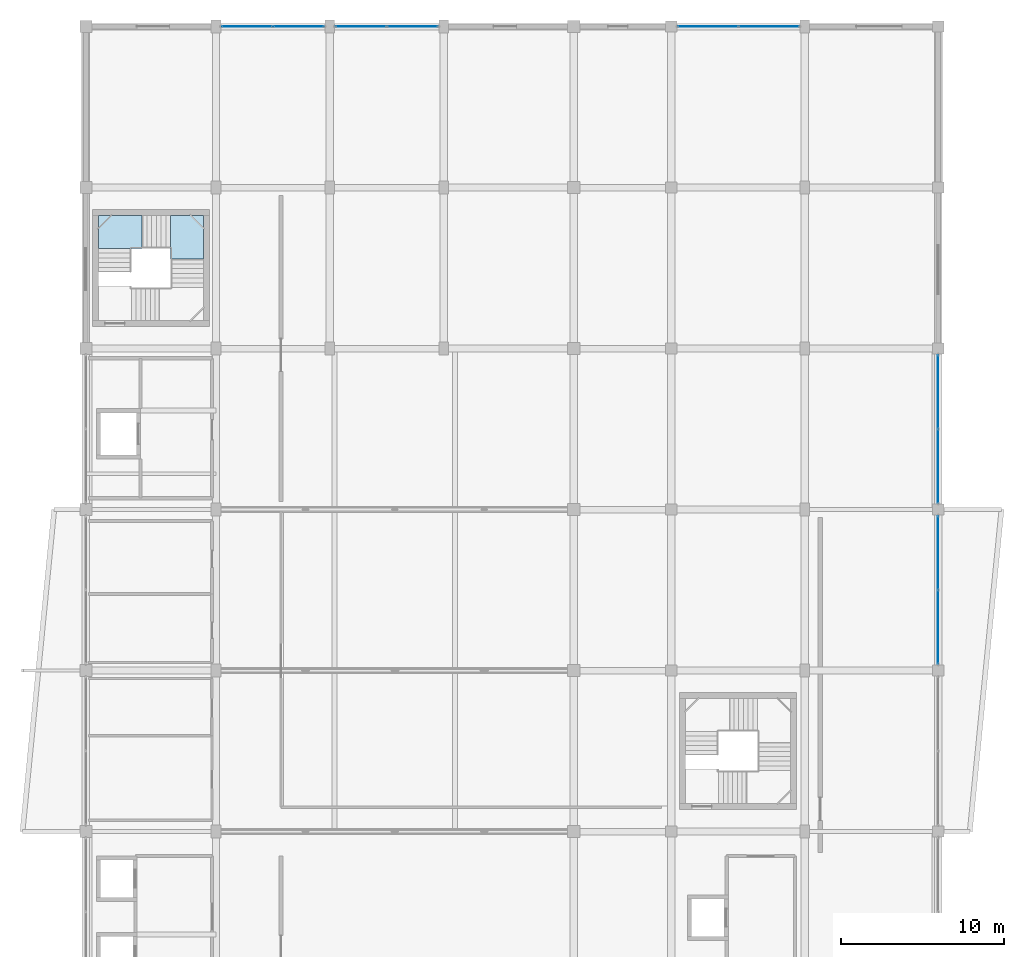
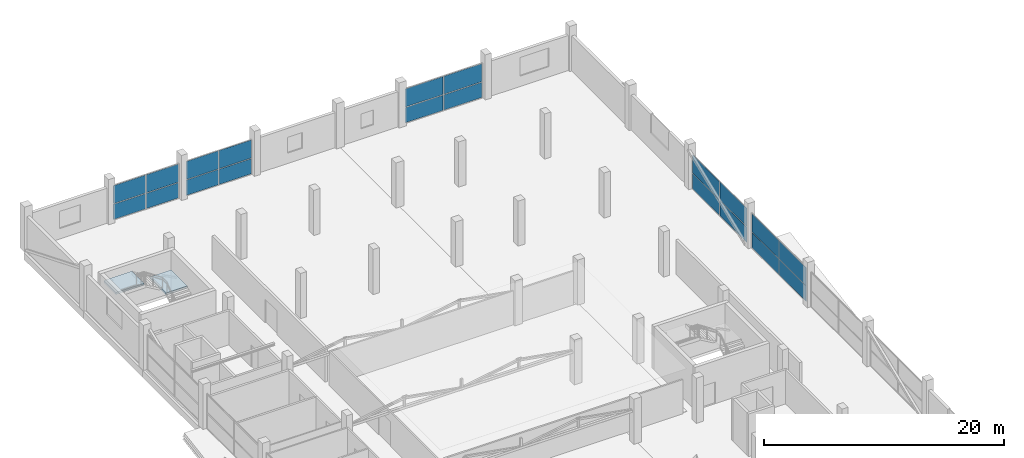
# One storey, part 39 of 58: 20 plates, 2 slabs, 6 elements without a shape of their own.
"""IFC4 building model written with IfcOpenShell, lengths in metres."""

from ifc_helpers import new_model, si_unit, direction, frame, origin, origin_2d, place, context, subcontext, project, spatial, polyline, rectangle, outline, extrude, material, layer, layer_set, type_object, element, aggregate, save


model = new_model("IFC4")

# Units and contexts
model_context = context("Model", 3, precision=1e-05, world=origin(), true_north=direction((0.0, 1.0)))
body_context = subcontext(model_context, "Body", "Model", "MODEL_VIEW")
ifc_project = project(units=[si_unit("LENGTHUNIT", "METRE"), si_unit("AREAUNIT", "SQUARE_METRE"), si_unit("VOLUMEUNIT", "CUBIC_METRE"), si_unit("PLANEANGLEUNIT", "RADIAN"), si_unit("MASSUNIT", "GRAM", prefix="KILO")], contexts=[model_context])

# Site, building, storey
site_placement = place(None, origin())
site = spatial("IfcSite", under=ifc_project, at=site_placement, CompositionType="ELEMENT")
building_placement = place(site_placement, origin())
building = spatial("IfcBuilding", under=site, at=building_placement, Name="Sillaruma Civic Art Gallery", CompositionType="ELEMENT")
storey_placement = place(building_placement, frame((0.0, 0.0, 28.56005859375)))
storey = spatial("IfcBuildingStorey", under=building, at=storey_placement, Name="L05", CompositionType="ELEMENT", Elevation=28.56005859375)

# Curtain wall, plate
ifc_material_1 = material(Name="Thermally Broken Extruded Aluminium 6063-T6", Category="aluminium")
ifc_layer_1 = layer(ifc_material_1, 0.159912109375, Name="Thermally Broken Extruded Aluminium 6063-T6")
ifc_layer_set_1 = layer_set([ifc_layer_1], Name="Thermally Broken Extruded Aluminium 6063-T6")
curtain_wall_type_1 = type_object("IfcCurtainWallType", Name="CW-UNI-35", PredefinedType="NOTDEFINED", material=ifc_layer_set_1)
curtain_wall_1_placement = place(storey_placement, origin())
curtain_wall_1 = element("IfcCurtainWall", 1, at=curtain_wall_1_placement, inside=storey, type_object=curtain_wall_type_1, Name="Unitised Curtain Wall CW-35 (CW-L05-E-6)", PredefinedType="NOTDEFINED")
ifc_material_2 = material(Name="Low-E UV-Filtered Laminated Insulating Glass", Category="glass")
ifc_layer_2 = layer(ifc_material_2, 0.030029296875, Name="Low-E UV-Filtered Laminated Insulating Glass")
ifc_layer_set_2 = layer_set([ifc_layer_2], Name="Low-E UV-Filtered Laminated Insulating Glass")
plate_type_1 = type_object("IfcPlateType", Name="PNL-GLZ-30", PredefinedType="CURTAIN_PANEL", material=ifc_layer_set_2)
plate_1_placement = place(storey_placement, frame((114.39990234375, 76.53369140625, 0.059814453125), z_axis=(0.0, 0.0, 1.0), x_axis=(0.0, 1.0, 0.0)))
plate_1 = element("IfcPlate", 2, at=plate_1_placement, type_object=plate_type_1, Name="CW-35 panel 2.1", PredefinedType="CURTAIN_PANEL", context=body_context, shape_type="SweptSolid", body=[
    extrude(rectangle(XDim=4.50244140625, YDim=0.030029296875, at=origin_2d()), origin(), (0.0, 0.0, 1.0), 1.55224609375),
])

# Curtain wall, plates
ifc_layer_3 = layer(ifc_material_1, 0.159912109375, Name="Thermally Broken Extruded Aluminium 6063-T6")
ifc_layer_set_3 = layer_set([ifc_layer_3], Name="Thermally Broken Extruded Aluminium 6063-T6")
curtain_wall_type_2 = type_object("IfcCurtainWallType", Name="CW-UNI-37", PredefinedType="NOTDEFINED", material=ifc_layer_set_3)
curtain_wall_2_placement = place(storey_placement, origin())
curtain_wall_2 = element("IfcCurtainWall", 3, at=curtain_wall_2_placement, inside=storey, type_object=curtain_wall_type_2, Name="Unitised Curtain Wall CW-37 (CW-L05-N-3)", PredefinedType="NOTDEFINED")
plate_2_placement = place(storey_placement, frame((78.916259765625, 99.0, 0.059814453125), z_axis=(0.0, 0.0, 1.0), x_axis=(1.0, 0.0, 0.0)))
plate_2 = element("IfcPlate", 4, at=plate_2_placement, type_object=plate_type_1, Name="CW-37 panel 1.1", PredefinedType="CURTAIN_PANEL", context=body_context, shape_type="SweptSolid", body=[
    extrude(rectangle(XDim=3.1025390625, YDim=0.030029296875, at=origin_2d()), origin(), (0.0, 0.0, 1.0), 1.55224609375),
])
plate_3_placement = place(storey_placement, frame((78.916259765625, 99.0, 1.672119140625), z_axis=(0.0, 0.0, 1.0), x_axis=(1.0, 0.0, 0.0)))
plate_3 = element("IfcPlate", 5, at=plate_3_placement, type_object=plate_type_1, Name="CW-37 panel 1.2", PredefinedType="CURTAIN_PANEL", context=body_context, shape_type="SweptSolid", body=[
    extrude(rectangle(XDim=3.1025390625, YDim=0.030029296875, at=origin_2d()), origin(), (0.0, 0.0, 1.0), 1.837890625),
])
plate_4_placement = place(storey_placement, frame((82.083740234375, 99.0, 0.059814453125), z_axis=(0.0, 0.0, 1.0), x_axis=(1.0, 0.0, 0.0)))
plate_4 = element("IfcPlate", 6, at=plate_4_placement, type_object=plate_type_1, Name="CW-37 panel 2.1", PredefinedType="CURTAIN_PANEL", context=body_context, shape_type="SweptSolid", body=[
    extrude(rectangle(XDim=3.1025390625, YDim=0.030029296875, at=origin_2d()), origin(), (0.0, 0.0, 1.0), 1.55224609375),
])
plate_5_placement = place(storey_placement, frame((82.083740234375, 99.0, 1.672119140625), z_axis=(0.0, 0.0, 1.0), x_axis=(1.0, 0.0, 0.0)))
plate_5 = element("IfcPlate", 7, at=plate_5_placement, type_object=plate_type_1, Name="CW-37 panel 2.2", PredefinedType="CURTAIN_PANEL", context=body_context, shape_type="SweptSolid", body=[
    extrude(rectangle(XDim=3.1025390625, YDim=0.030029296875, at=origin_2d()), origin(), (0.0, 0.0, 1.0), 1.837890625),
])
aggregate(curtain_wall_2, [plate_2, plate_3, plate_4, plate_5])

ifc_layer_4 = layer(ifc_material_1, 0.159912109375, Name="Thermally Broken Extruded Aluminium 6063-T6")
ifc_layer_set_4 = layer_set([ifc_layer_4], Name="Thermally Broken Extruded Aluminium 6063-T6")
curtain_wall_type_3 = type_object("IfcCurtainWallType", Name="CW-UNI-38", PredefinedType="NOTDEFINED", material=ifc_layer_set_4)
curtain_wall_3_placement = place(storey_placement, origin())
curtain_wall_3 = element("IfcCurtainWall", 8, at=curtain_wall_3_placement, inside=storey, type_object=curtain_wall_type_3, Name="Unitised Curtain Wall CW-38 (CW-L05-N-6)", PredefinedType="NOTDEFINED")
ifc_layer_5 = layer(ifc_material_2, 0.031982421875, Name="Low-E UV-Filtered Laminated Insulating Glass")
ifc_layer_set_5 = layer_set([ifc_layer_5], Name="Low-E UV-Filtered Laminated Insulating Glass")
plate_type_2 = type_object("IfcPlateType", Name="PNL-GLZ-32", PredefinedType="CURTAIN_PANEL", material=ifc_layer_set_5)
plate_6_placement = place(storey_placement, frame((100.253662109375, 99.0, 0.06494140625), z_axis=(0.0, 0.0, 1.0), x_axis=(1.0, 0.0, 0.0)))
plate_6 = element("IfcPlate", 9, at=plate_6_placement, type_object=plate_type_2, Name="CW-38 panel 1.1", PredefinedType="CURTAIN_PANEL", context=body_context, shape_type="SweptSolid", body=[
    extrude(rectangle(XDim=3.677490234375, YDim=0.031982421875, at=origin_2d()), origin(), (0.0, 0.0, 1.0), 1.544677734375),
])
plate_7_placement = place(storey_placement, frame((100.253662109375, 99.0, 1.6748046875), z_axis=(0.0, 0.0, 1.0), x_axis=(1.0, 0.0, 0.0)))
plate_7 = element("IfcPlate", 10, at=plate_7_placement, type_object=plate_type_2, Name="CW-38 panel 1.2", PredefinedType="CURTAIN_PANEL", context=body_context, shape_type="SweptSolid", body=[
    extrude(rectangle(XDim=3.677490234375, YDim=0.031982421875, at=origin_2d()), origin(), (0.0, 0.0, 1.0), 1.830322265625),
])
plate_8_placement = place(storey_placement, frame((103.996337890625, 99.0, 0.06494140625), z_axis=(0.0, 0.0, 1.0), x_axis=(1.0, 0.0, 0.0)))
plate_8 = element("IfcPlate", 11, at=plate_8_placement, type_object=plate_type_2, Name="CW-38 panel 2.1", PredefinedType="CURTAIN_PANEL", context=body_context, shape_type="SweptSolid", body=[
    extrude(rectangle(XDim=3.677490234375, YDim=0.031982421875, at=origin_2d()), origin(), (0.0, 0.0, 1.0), 1.544677734375),
])
plate_9_placement = place(storey_placement, frame((103.996337890625, 99.0, 1.6748046875), z_axis=(0.0, 0.0, 1.0), x_axis=(1.0, 0.0, 0.0)))
plate_9 = element("IfcPlate", 12, at=plate_9_placement, type_object=plate_type_2, Name="CW-38 panel 2.2", PredefinedType="CURTAIN_PANEL", context=body_context, shape_type="SweptSolid", body=[
    extrude(rectangle(XDim=3.677490234375, YDim=0.031982421875, at=origin_2d()), origin(), (0.0, 0.0, 1.0), 1.830322265625),
])
aggregate(curtain_wall_3, [plate_6, plate_7, plate_8, plate_9])

ifc_layer_6 = layer(ifc_material_1, 0.179931640625, Name="Thermally Broken Extruded Aluminium 6063-T6")
ifc_layer_set_6 = layer_set([ifc_layer_6], Name="Thermally Broken Extruded Aluminium 6063-T6")
curtain_wall_type_4 = type_object("IfcCurtainWallType", Name="CW-UNI-34", PredefinedType="NOTDEFINED", material=ifc_layer_set_6)
curtain_wall_4_placement = place(storey_placement, origin())
curtain_wall_4 = element("IfcCurtainWall", 13, at=curtain_wall_4_placement, inside=storey, type_object=curtain_wall_type_4, Name="Unitised Curtain Wall CW-34 (CW-L05-E-5)", PredefinedType="NOTDEFINED")
ifc_layer_7 = layer(ifc_material_2, 0.0400390625, Name="Low-E UV-Filtered Laminated Insulating Glass")
ifc_layer_set_7 = layer_set([ifc_layer_7], Name="Low-E UV-Filtered Laminated Insulating Glass")
plate_type_3 = type_object("IfcPlateType", Name="PNL-GLZ-40", PredefinedType="CURTAIN_PANEL", material=ifc_layer_set_7)
plate_10_placement = place(storey_placement, frame((114.39990234375, 62.0673828125, 0.06494140625), z_axis=(0.0, 0.0, 1.0), x_axis=(0.0, 1.0, 0.0)))
plate_10 = element("IfcPlate", 14, at=plate_10_placement, type_object=plate_type_3, Name="CW-34 panel 1.1", PredefinedType="CURTAIN_PANEL", context=body_context, shape_type="SweptSolid", body=[
    extrude(rectangle(XDim=4.4951171875, YDim=0.0400390625, at=origin_2d()), origin(), (0.0, 0.0, 1.0), 1.544677734375),
])
plate_11_placement = place(storey_placement, frame((114.39990234375, 62.0673828125, 1.6748046875), z_axis=(0.0, 0.0, 1.0), x_axis=(0.0, 1.0, 0.0)))
plate_11 = element("IfcPlate", 15, at=plate_11_placement, type_object=plate_type_3, Name="CW-34 panel 1.2", PredefinedType="CURTAIN_PANEL", context=body_context, shape_type="SweptSolid", body=[
    extrude(rectangle(XDim=4.4951171875, YDim=0.0400390625, at=origin_2d()), origin(), (0.0, 0.0, 1.0), 1.830322265625),
])
plate_12_placement = place(storey_placement, frame((114.39990234375, 66.632568359375, 0.06494140625), z_axis=(0.0, 0.0, 1.0), x_axis=(0.0, 1.0, 0.0)))
plate_12 = element("IfcPlate", 16, at=plate_12_placement, type_object=plate_type_3, Name="CW-34 panel 2.1", PredefinedType="CURTAIN_PANEL", context=body_context, shape_type="SweptSolid", body=[
    extrude(rectangle(XDim=4.4951171875, YDim=0.0400390625, at=origin_2d()), origin(), (0.0, 0.0, 1.0), 1.544677734375),
])
plate_13_placement = place(storey_placement, frame((114.39990234375, 66.632568359375, 1.6748046875), z_axis=(0.0, 0.0, 1.0), x_axis=(0.0, 1.0, 0.0)))
plate_13 = element("IfcPlate", 17, at=plate_13_placement, type_object=plate_type_3, Name="CW-34 panel 2.2", PredefinedType="CURTAIN_PANEL", context=body_context, shape_type="SweptSolid", body=[
    extrude(rectangle(XDim=4.4951171875, YDim=0.0400390625, at=origin_2d()), origin(), (0.0, 0.0, 1.0), 1.830322265625),
])
aggregate(curtain_wall_4, [plate_10, plate_11, plate_12, plate_13])

ifc_layer_8 = layer(ifc_material_1, 0.179931640625, Name="Thermally Broken Extruded Aluminium 6063-T6")
ifc_layer_set_8 = layer_set([ifc_layer_8], Name="Thermally Broken Extruded Aluminium 6063-T6")
curtain_wall_type_5 = type_object("IfcCurtainWallType", Name="CW-UNI-36", PredefinedType="NOTDEFINED", material=ifc_layer_set_8)
curtain_wall_5_placement = place(storey_placement, origin())
curtain_wall_5 = element("IfcCurtainWall", 18, at=curtain_wall_5_placement, inside=storey, type_object=curtain_wall_type_5, Name="Unitised Curtain Wall CW-36 (CW-L05-N-2)", PredefinedType="NOTDEFINED")
plate_14_placement = place(storey_placement, frame((71.91748046875, 99.0, 0.06494140625), z_axis=(0.0, 0.0, 1.0), x_axis=(1.0, 0.0, 0.0)))
plate_14 = element("IfcPlate", 19, at=plate_14_placement, type_object=plate_type_3, Name="CW-36 panel 1.1", PredefinedType="CURTAIN_PANEL", context=body_context, shape_type="SweptSolid", body=[
    extrude(rectangle(XDim=3.094970703125, YDim=0.0400390625, at=origin_2d()), origin(), (0.0, 0.0, 1.0), 1.544677734375),
])
plate_15_placement = place(storey_placement, frame((71.91748046875, 99.0, 1.6748046875), z_axis=(0.0, 0.0, 1.0), x_axis=(1.0, 0.0, 0.0)))
plate_15 = element("IfcPlate", 20, at=plate_15_placement, type_object=plate_type_3, Name="CW-36 panel 1.2", PredefinedType="CURTAIN_PANEL", context=body_context, shape_type="SweptSolid", body=[
    extrude(rectangle(XDim=3.094970703125, YDim=0.0400390625, at=origin_2d()), origin(), (0.0, 0.0, 1.0), 1.830322265625),
])
plate_16_placement = place(storey_placement, frame((75.08251953125, 99.0, 0.06494140625), z_axis=(0.0, 0.0, 1.0), x_axis=(1.0, 0.0, 0.0)))
plate_16 = element("IfcPlate", 21, at=plate_16_placement, type_object=plate_type_3, Name="CW-36 panel 2.1", PredefinedType="CURTAIN_PANEL", context=body_context, shape_type="SweptSolid", body=[
    extrude(rectangle(XDim=3.094970703125, YDim=0.0400390625, at=origin_2d()), origin(), (0.0, 0.0, 1.0), 1.544677734375),
])
plate_17_placement = place(storey_placement, frame((75.08251953125, 99.0, 1.6748046875), z_axis=(0.0, 0.0, 1.0), x_axis=(1.0, 0.0, 0.0)))
plate_17 = element("IfcPlate", 22, at=plate_17_placement, type_object=plate_type_3, Name="CW-36 panel 2.2", PredefinedType="CURTAIN_PANEL", context=body_context, shape_type="SweptSolid", body=[
    extrude(rectangle(XDim=3.094970703125, YDim=0.0400390625, at=origin_2d()), origin(), (0.0, 0.0, 1.0), 1.830322265625),
])
aggregate(curtain_wall_5, [plate_14, plate_15, plate_16, plate_17])

# Plate
ifc_material_3 = material(Name="Anodised Zinc-Aluminium Alloy", Category="aluminium")
ifc_layer_9 = layer(ifc_material_3, 0.030029296875, Name="Anodised Zinc-Aluminium Alloy")
ifc_layer_set_9 = layer_set([ifc_layer_9], Name="Anodised Zinc-Aluminium Alloy")
plate_type_4 = type_object("IfcPlateType", Name="PNL-SPD-30", PredefinedType="CURTAIN_PANEL", material=ifc_layer_set_9)
plate_18_placement = place(storey_placement, frame((114.39990234375, 71.96630859375, 0.059814453125), z_axis=(0.0, 0.0, 1.0), x_axis=(0.0, 1.0, 0.0)))
plate_18 = element("IfcPlate", 23, at=plate_18_placement, type_object=plate_type_4, Name="CW-35 panel 1.1", PredefinedType="CURTAIN_PANEL", context=body_context, shape_type="SweptSolid", body=[
    extrude(rectangle(XDim=4.50244140625, YDim=0.030029296875, at=origin_2d()), origin(), (0.0, 0.0, 1.0), 1.55224609375),
])

plate_19_placement = place(storey_placement, frame((114.39990234375, 71.96630859375, 1.672119140625), z_axis=(0.0, 0.0, 1.0), x_axis=(0.0, 1.0, 0.0)))
plate_19 = element("IfcPlate", 24, at=plate_19_placement, type_object=plate_type_4, Name="CW-35 panel 1.2", PredefinedType="CURTAIN_PANEL", context=body_context, shape_type="SweptSolid", body=[
    extrude(rectangle(XDim=4.50244140625, YDim=0.030029296875, at=origin_2d()), origin(), (0.0, 0.0, 1.0), 1.837890625),
])

plate_20_placement = place(storey_placement, frame((114.39990234375, 76.53369140625, 1.672119140625), z_axis=(0.0, 0.0, 1.0), x_axis=(0.0, 1.0, 0.0)))
plate_20 = element("IfcPlate", 25, at=plate_20_placement, type_object=plate_type_4, Name="CW-35 panel 2.2", PredefinedType="CURTAIN_PANEL", context=body_context, shape_type="SweptSolid", body=[
    extrude(rectangle(XDim=4.50244140625, YDim=0.030029296875, at=origin_2d()), origin(), (0.0, 0.0, 1.0), 1.837890625),
])

aggregate(curtain_wall_1, [plate_18, plate_19, plate_1, plate_20])

# Stair, slabs
ifc_material_4 = material(Name="Concrete H35 (35 MPa)", Category="concrete")
stair_type = type_object("IfcStairType", Name="STR-4F-27", PredefinedType="USERDEFINED", material=ifc_material_4)
stair_placement = place(storey_placement, origin())
stair = element("IfcStair", 26, at=stair_placement, inside=storey, type_object=stair_type, Name="Protected Exit Stair ST-02 (West Bar North) (L05)", ObjectType="THREE_RETURN_STAIR", PredefinedType="USERDEFINED")
ifc_layer_10 = layer(ifc_material_4, 0.199951171875, Name="Concrete H35 (35 MPa)")
ifc_layer_set_10 = layer_set([ifc_layer_10], Name="Concrete H35 (35 MPa)")
slab_type = type_object("IfcSlabType", Name="SLB-LND-200", PredefinedType="LANDING", material=ifc_layer_set_10)
slab_1_placement = place(storey_placement, frame((0.0, 0.0, 2.179931640625)))
slab_1 = element("IfcSlab", 27, at=slab_1_placement, type_object=slab_type, Name="ST-02 landing 2", PredefinedType="LANDING", context=body_context, shape_type="SweptSolid", body=[
    extrude(outline(polyline([(67.199951171875, 84.68994140625), (69.239990234375, 84.68994140625), (69.239990234375, 87.389892578125), (67.199951171875, 87.389892578125), (67.199951171875, 84.68994140625)])), origin(), (0.0, 0.0, 1.0), 0.199951171875),
])
slab_2_placement = place(storey_placement, frame((0.0, 0.0, 3.369873046875)))
slab_2 = element("IfcSlab", 28, at=slab_2_placement, type_object=slab_type, Name="ST-02 landing 3", PredefinedType="LANDING", context=body_context, shape_type="SweptSolid", body=[
    extrude(outline(polyline([(62.760009765625, 85.35009765625), (65.4599609375, 85.35009765625), (65.4599609375, 87.389892578125), (62.760009765625, 87.389892578125), (62.760009765625, 85.35009765625)])), origin(), (0.0, 0.0, 1.0), 0.199951171875),
])
aggregate(stair, [slab_1, slab_2])

save(model, "model.ifc")
